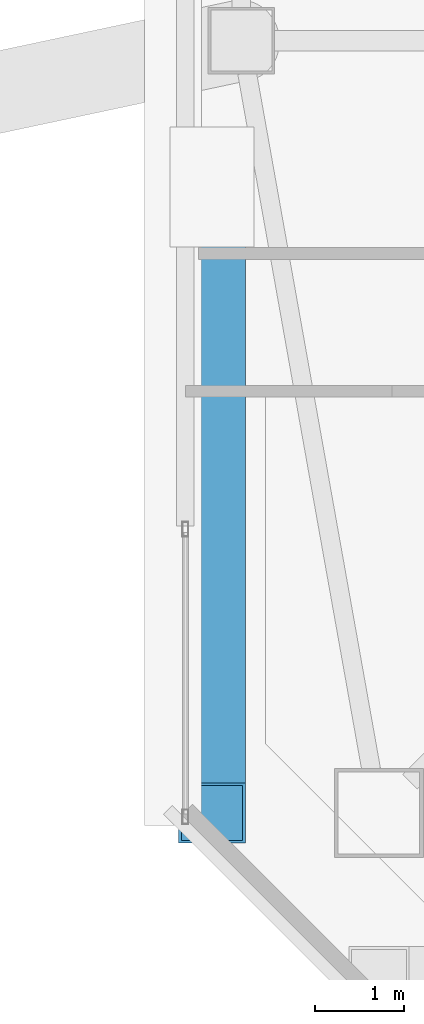
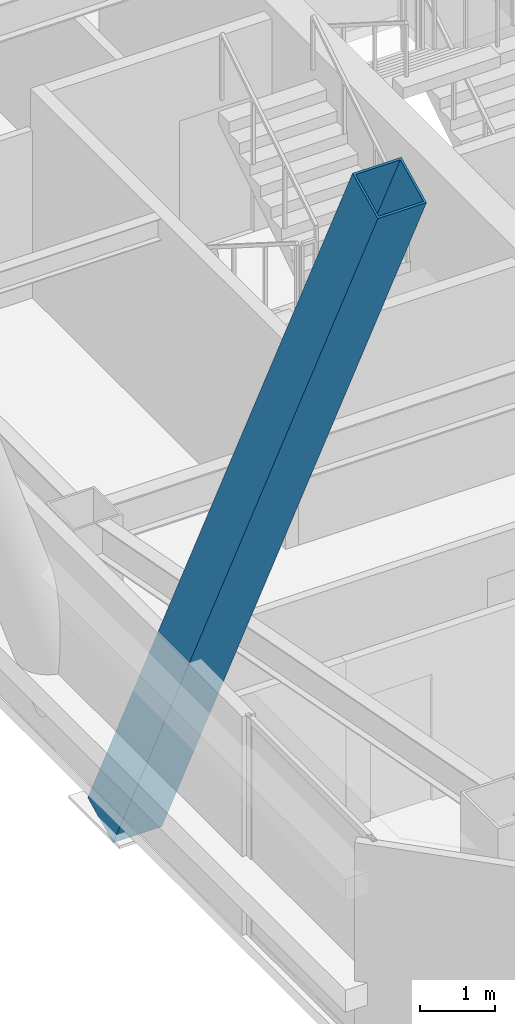
# One storey, part 6 of 56: 1 member.
"""IFC4 building model written with IfcOpenShell, lengths in metres."""

from ifc_helpers import new_model, si_unit, direction, frame, origin, origin_2d, place, context, subcontext, project, spatial, hollow_rectangle, extrude, material, material_profile, profile_set, type_object, element, save


model = new_model("IFC4")

# Units and contexts
model_context = context("Model", 3, precision=1e-05, world=origin(), true_north=direction((0.0, 1.0)))
body_context = subcontext(model_context, "Body", "Model", "MODEL_VIEW")
ifc_project = project(units=[si_unit("LENGTHUNIT", "METRE"), si_unit("AREAUNIT", "SQUARE_METRE"), si_unit("VOLUMEUNIT", "CUBIC_METRE"), si_unit("PLANEANGLEUNIT", "RADIAN"), si_unit("MASSUNIT", "GRAM", prefix="KILO")], contexts=[model_context])

# Site, building, storey
site_placement = place(None, origin())
site = spatial("IfcSite", under=ifc_project, at=site_placement, CompositionType="ELEMENT")
building_placement = place(site_placement, origin())
building = spatial("IfcBuilding", under=site, at=building_placement, Name="Tashvorn Skyway Center", CompositionType="ELEMENT")
storey_placement = place(building_placement, frame((0.0, 0.0, 218.39990234375)))
storey = spatial("IfcBuildingStorey", under=building, at=storey_placement, Name="L59", CompositionType="ELEMENT", Elevation=218.39990234375)

# Member
ifc_material = material(Name="Steel ASTM A572 Grade 50", Category="steel")
ifc_material_profile = material_profile(ifc_material, hollow_rectangle(XDim=0.75, YDim=0.75, WallThickness=0.031982421875, at=origin_2d()), Name="BOX750x750x32")
ifc_profile_set = profile_set([ifc_material_profile], Name="Steel ASTM A572 Grade 50")
member_type = type_object("IfcMemberType", Name="MEM-MB-750", PredefinedType="BRACE", material=ifc_profile_set)
member_placement = place(storey_placement, frame((26.02001953125, 24.949951171875, -0.449951171875), z_axis=(0.0, -0.439219679919, 0.898379692987), x_axis=(1.0, 0.0, 0.0)))
element("IfcMember", 1, at=member_placement, inside=storey, type_object=member_type, Name="Tower 1 Zone 5 W Chevron Mega-Brace R2", PredefinedType="BRACE", context=body_context, shape_type="SweptSolid", body=[
    extrude(hollow_rectangle(XDim=0.75, YDim=0.75, WallThickness=0.031982421875, at=origin_2d()), origin(), (0.0, 0.0, 1.0), 16.05126953125),
])

save(model, "model.ifc")
